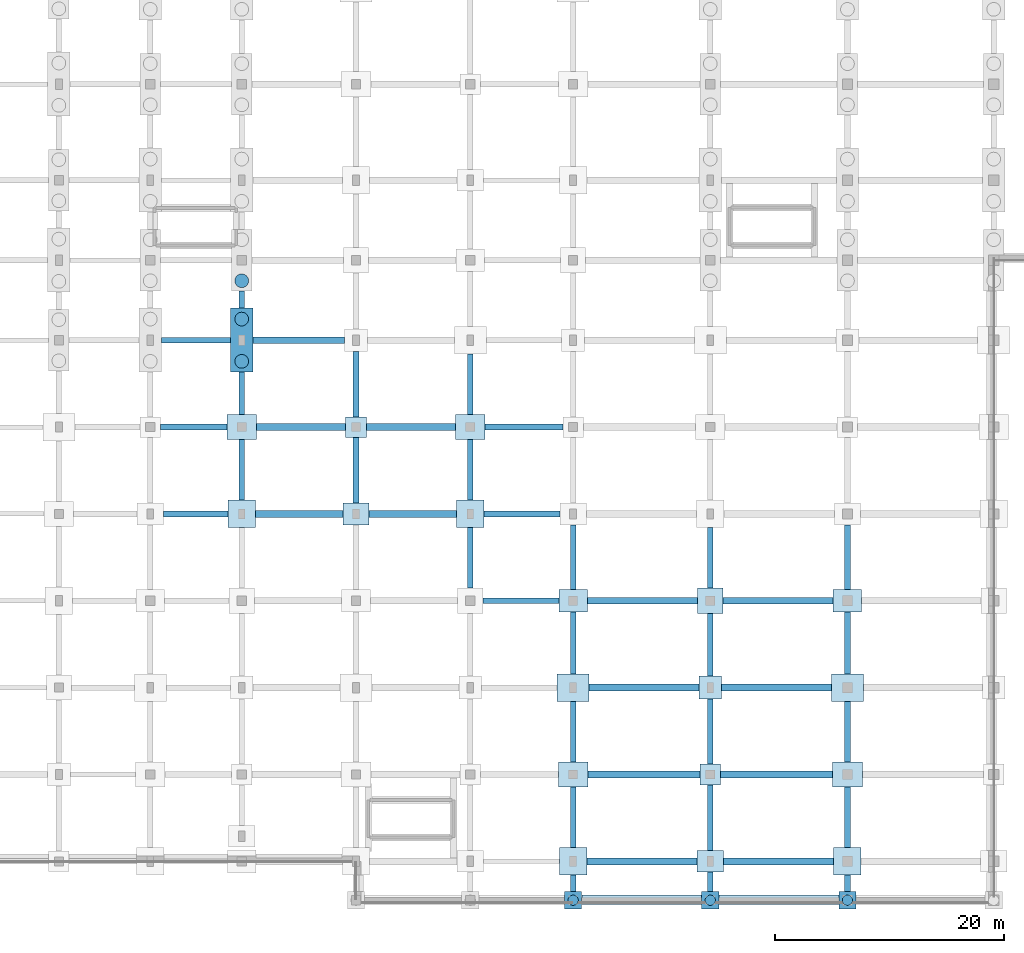
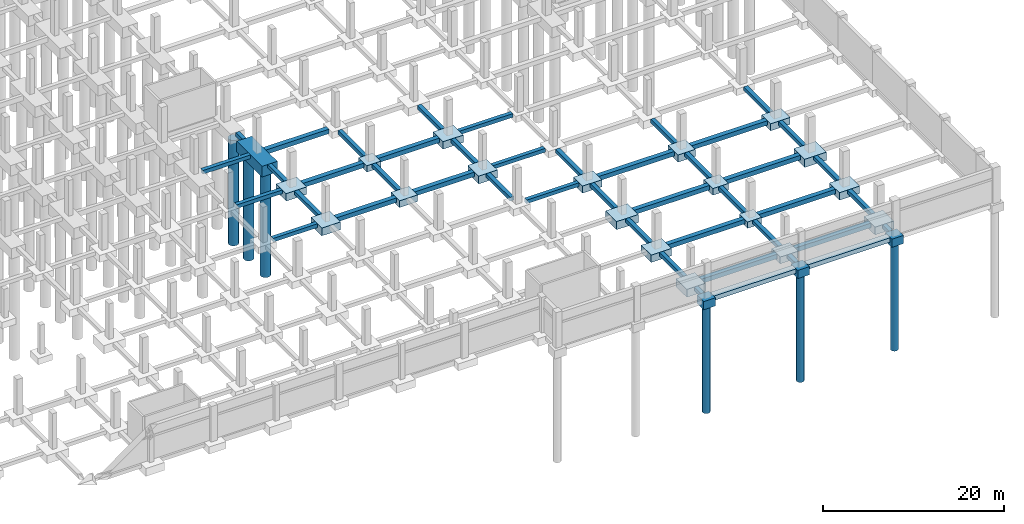
# One storey, part 18 of 50: 66 footings, 6 piles.
"""IFC4 building model written with IfcOpenShell, lengths in metres."""

from ifc_helpers import new_model, si_unit, direction, frame, origin, origin_2d, place, context, subcontext, project, spatial, polyline, rectangle, circle, outline, extrude, material, material_profile, profile_set, type_object, element, save


model = new_model("IFC4")

# Units and contexts
model_context = context("Model", 3, precision=1e-05, world=origin(), true_north=direction((0.0, 1.0)))
body_context = subcontext(model_context, "Body", "Model", "MODEL_VIEW")
ifc_project = project(units=[si_unit("LENGTHUNIT", "METRE"), si_unit("AREAUNIT", "SQUARE_METRE"), si_unit("VOLUMEUNIT", "CUBIC_METRE"), si_unit("PLANEANGLEUNIT", "RADIAN"), si_unit("MASSUNIT", "GRAM", prefix="KILO")], contexts=[model_context])

# Site, building, storey
site_placement = place(None, origin())
site = spatial("IfcSite", under=ifc_project, at=site_placement, CompositionType="ELEMENT")
building_placement = place(site_placement, origin())
building = spatial("IfcBuilding", under=site, at=building_placement, Name="Vekula Escarpment Museum", CompositionType="ELEMENT")
storey_placement = place(building_placement, frame((0.0, 0.0, -4.800048828125)))
storey = spatial("IfcBuildingStorey", under=building, at=storey_placement, Name="B1", CompositionType="ELEMENT", Elevation=-4.800048828125)

# Footings
ifc_material_1 = material(Name="Concrete C35/45", Category="concrete")
footing_type_1 = type_object("IfcFootingType", Name="FB-STRIP-600", PredefinedType="STRIP_FOOTING", material=ifc_material_1)
footing_1_placement = place(storey_placement, frame((0.0, 0.0, -0.599853515625)))
element("IfcFooting", 1, at=footing_1_placement, inside=storey, type_object=footing_type_1, Name="Plinth Wall Strip Footing 0080", PredefinedType="STRIP_FOOTING", context=body_context, shape_type="SweptSolid", body=[
    extrude(outline(polyline([(155.75390625, -3.794921875), (155.75390625, -2.955078125), (166.24609375, -2.955078125), (166.24609375, -3.794921875), (155.75390625, -3.794921875)])), origin(), (0.0, 0.0, 1.0), 0.599853515625),
])
footing_2_placement = place(storey_placement, frame((0.0, 0.0, -0.599853515625)))
element("IfcFooting", 2, at=footing_2_placement, inside=storey, type_object=footing_type_1, Name="Plinth Wall Strip Footing 0081", PredefinedType="STRIP_FOOTING", context=body_context, shape_type="SweptSolid", body=[
    extrude(outline(polyline([(167.75390625, -3.794921875), (167.75390625, -2.955078125), (178.24609375, -2.955078125), (178.24609375, -3.794921875), (167.75390625, -3.794921875)])), origin(), (0.0, 0.0, 1.0), 0.599853515625),
])
ifc_material_2 = material(Name="Concrete C35/45", Category="concrete")
ifc_material_profile_1 = material_profile(ifc_material_2, rectangle(XDim=0.5, YDim=0.5, at=origin_2d()), Name="RC 500x500")
ifc_profile_set_1 = profile_set([ifc_material_profile_1], Name="Concrete C35/45")
footing_type_2 = type_object("IfcFootingType", Name="FB-TIE-500x500", PredefinedType="FOOTING_BEAM", material=ifc_profile_set_1)
footing_3_placement = place(storey_placement, frame((147.10009765625, 22.800048828125, -0.25), z_axis=(1.0, 0.0, 0.0), x_axis=(0.0, 1.0, 0.0)))
element("IfcFooting", 3, at=footing_3_placement, inside=storey, type_object=footing_type_2, Name="Foundation Tie Beam 077", PredefinedType="FOOTING_BEAM", context=body_context, shape_type="SweptSolid", body=[
    extrude(rectangle(XDim=0.5, YDim=0.5, at=origin_2d()), origin(), (0.0, 0.0, 1.0), 6.64990234375),
])
footing_4_placement = place(storey_placement, frame((119.14990234375, 30.39990234375, -0.25), z_axis=(1.0, 0.0, 0.0), x_axis=(0.0, 1.0, 0.0)))
element("IfcFooting", 4, at=footing_4_placement, inside=storey, type_object=footing_type_2, Name="Foundation Tie Beam 092", PredefinedType="FOOTING_BEAM", context=body_context, shape_type="SweptSolid", body=[
    extrude(rectangle(XDim=0.5, YDim=0.5, at=origin_2d()), origin(), (0.0, 0.0, 1.0), 5.650146484375),
])
footing_5_placement = place(storey_placement, frame((147.199951171875, 30.39990234375, -0.25), z_axis=(1.0, 0.0, 0.0), x_axis=(0.0, 1.0, 0.0)))
element("IfcFooting", 5, at=footing_5_placement, inside=storey, type_object=footing_type_2, Name="Foundation Tie Beam 095", PredefinedType="FOOTING_BEAM", context=body_context, shape_type="SweptSolid", body=[
    extrude(rectangle(XDim=0.5, YDim=0.5, at=origin_2d()), origin(), (0.0, 0.0, 1.0), 6.650146484375),
])
footing_6_placement = place(storey_placement, frame((118.89990234375, 38.0, -0.25), z_axis=(1.0, 0.0, 0.0), x_axis=(0.0, 1.0, 0.0)))
element("IfcFooting", 6, at=footing_6_placement, inside=storey, type_object=footing_type_2, Name="Foundation Tie Beam 113", PredefinedType="FOOTING_BEAM", context=body_context, shape_type="SweptSolid", body=[
    extrude(rectangle(XDim=0.5, YDim=0.5, at=origin_2d()), origin(), (0.0, 0.0, 1.0), 5.800048828125),
])
footing_7_placement = place(storey_placement, frame((147.300048828125, 38.0, -0.25), z_axis=(1.0, 0.0, 0.0), x_axis=(0.0, 1.0, 0.0)))
element("IfcFooting", 7, at=footing_7_placement, inside=storey, type_object=footing_type_2, Name="Foundation Tie Beam 116", PredefinedType="FOOTING_BEAM", context=body_context, shape_type="SweptSolid", body=[
    extrude(rectangle(XDim=0.5, YDim=0.5, at=origin_2d()), origin(), (0.0, 0.0, 1.0), 6.800048828125),
])
footing_8_placement = place(storey_placement, frame((118.97509765625, 45.60009765625, -0.25), z_axis=(1.0, 0.0, 0.0), x_axis=(0.0, 1.0, 0.0)))
element("IfcFooting", 8, at=footing_8_placement, inside=storey, type_object=footing_type_2, Name="Foundation Tie Beam 134", PredefinedType="FOOTING_BEAM", context=body_context, shape_type="SweptSolid", body=[
    extrude(rectangle(XDim=0.5, YDim=0.5, at=origin_2d()), origin(), (0.0, 0.0, 1.0), 6.0498046875),
])
footing_9_placement = place(storey_placement, frame((126.0, 31.60009765625, -0.25), z_axis=(0.0, 1.0, 0.0), x_axis=(-1.0, 0.0, 0.0)))
element("IfcFooting", 9, at=footing_9_placement, inside=storey, type_object=footing_type_2, Name="Foundation Tie Beam 668", PredefinedType="FOOTING_BEAM", context=body_context, shape_type="SweptSolid", body=[
    extrude(rectangle(XDim=0.5, YDim=0.5, at=origin_2d()), origin(), (0.0, 0.0, 1.0), 5.2998046875),
])
footing_10_placement = place(storey_placement, frame((126.0, 39.10009765625, -0.25), z_axis=(0.0, 1.0, 0.0), x_axis=(-1.0, 0.0, 0.0)))
element("IfcFooting", 10, at=footing_10_placement, inside=storey, type_object=footing_type_2, Name="Foundation Tie Beam 669", PredefinedType="FOOTING_BEAM", context=body_context, shape_type="SweptSolid", body=[
    extrude(rectangle(XDim=0.5, YDim=0.5, at=origin_2d()), origin(), (0.0, 0.0, 1.0), 3.699951171875),
])
footing_11_placement = place(storey_placement, frame((126.0, 48.39990234375, -0.25), z_axis=(0.0, 1.0, 0.0), x_axis=(-1.0, 0.0, 0.0)))
element("IfcFooting", 11, at=footing_11_placement, inside=storey, type_object=footing_type_2, Name="Foundation Tie Beam 670", PredefinedType="FOOTING_BEAM", context=body_context, shape_type="SweptSolid", body=[
    extrude(rectangle(XDim=0.5, YDim=0.5, at=origin_2d()), origin(), (0.0, 0.0, 1.0), 1.5),
])
footing_12_placement = place(storey_placement, frame((136.0, 31.35009765625, -0.25), z_axis=(0.0, 1.0, 0.0), x_axis=(-1.0, 0.0, 0.0)))
element("IfcFooting", 12, at=footing_12_placement, inside=storey, type_object=footing_type_2, Name="Foundation Tie Beam 687", PredefinedType="FOOTING_BEAM", context=body_context, shape_type="SweptSolid", body=[
    extrude(rectangle(XDim=0.5, YDim=0.5, at=origin_2d()), origin(), (0.0, 0.0, 1.0), 5.75),
])
footing_13_placement = place(storey_placement, frame((136.0, 38.89990234375, -0.25), z_axis=(0.0, 1.0, 0.0), x_axis=(-1.0, 0.0, 0.0)))
element("IfcFooting", 13, at=footing_13_placement, inside=storey, type_object=footing_type_2, Name="Foundation Tie Beam 688", PredefinedType="FOOTING_BEAM", context=body_context, shape_type="SweptSolid", body=[
    extrude(rectangle(XDim=0.5, YDim=0.5, at=origin_2d()), origin(), (0.0, 0.0, 1.0), 5.7001953125),
])
footing_14_placement = place(storey_placement, frame((146.0, 23.89990234375, -0.25), z_axis=(0.0, 1.0, 0.0), x_axis=(-1.0, 0.0, 0.0)))
element("IfcFooting", 14, at=footing_14_placement, inside=storey, type_object=footing_type_2, Name="Foundation Tie Beam 705", PredefinedType="FOOTING_BEAM", context=body_context, shape_type="SweptSolid", body=[
    extrude(rectangle(XDim=0.5, YDim=0.5, at=origin_2d()), origin(), (0.0, 0.0, 1.0), 5.300048828125),
])
for number, where, z_axis, x_axis, name in (
    (15, (146.0, 31.60009765625, -0.25), (0.0, 1.0, 0.0), (-1.0, 0.0, 0.0), "Foundation Tie Beam 706"),
    (16, (146.0, 39.10009765625, -0.25), (0.0, 1.0, 0.0), (-1.0, 0.0, 0.0), "Foundation Tie Beam 707"),
):
    element("IfcFooting", number, at=place(storey_placement, frame(where, z_axis=z_axis, x_axis=x_axis)), inside=storey, type_object=footing_type_2, Name=name, PredefinedType="FOOTING_BEAM", context=body_context, shape_type="SweptSolid", body=[
        extrude(rectangle(XDim=0.5, YDim=0.5, at=origin_2d()), origin(), (0.0, 0.0, 1.0), 5.2998046875),
    ])
footing_15_placement = place(storey_placement, frame((155.0, -2.64990234375, -0.25), z_axis=(0.0, 1.0, 0.0), x_axis=(-1.0, 0.0, 0.0)))
element("IfcFooting", 17, at=footing_15_placement, inside=storey, type_object=footing_type_2, Name="Foundation Tie Beam 720", PredefinedType="FOOTING_BEAM", context=body_context, shape_type="SweptSolid", body=[
    extrude(rectangle(XDim=0.5, YDim=0.5, at=origin_2d()), origin(), (0.0, 0.0, 1.0), 1.449951171875),
])
for number, where, z_axis, x_axis, name in (
    (18, (155.0, 1.199951171875, -0.25), (0.0, 1.0, 0.0), (-1.0, 0.0, 0.0), "Foundation Tie Beam 721"),
    (19, (155.0, 8.699951171875, -0.25), (0.0, 1.0, 0.0), (-1.0, 0.0, 0.0), "Foundation Tie Beam 722"),
):
    element("IfcFooting", number, at=place(storey_placement, frame(where, z_axis=z_axis, x_axis=x_axis)), inside=storey, type_object=footing_type_2, Name=name, PredefinedType="FOOTING_BEAM", context=body_context, shape_type="SweptSolid", body=[
        extrude(rectangle(XDim=0.5, YDim=0.5, at=origin_2d()), origin(), (0.0, 0.0, 1.0), 5.300048828125),
    ])
footing_16_placement = place(storey_placement, frame((155.0, 16.39990234375, -0.25), z_axis=(0.0, 1.0, 0.0), x_axis=(-1.0, 0.0, 0.0)))
element("IfcFooting", 20, at=footing_16_placement, inside=storey, type_object=footing_type_2, Name="Foundation Tie Beam 723", PredefinedType="FOOTING_BEAM", context=body_context, shape_type="SweptSolid", body=[
    extrude(rectangle(XDim=0.5, YDim=0.5, at=origin_2d()), origin(), (0.0, 0.0, 1.0), 5.400146484375),
])
footing_17_placement = place(storey_placement, frame((155.0, 23.800048828125, -0.25), z_axis=(0.0, 1.0, 0.0), x_axis=(-1.0, 0.0, 0.0)))
element("IfcFooting", 21, at=footing_17_placement, inside=storey, type_object=footing_type_2, Name="Foundation Tie Beam 724", PredefinedType="FOOTING_BEAM", context=body_context, shape_type="SweptSolid", body=[
    extrude(rectangle(XDim=0.5, YDim=0.5, at=origin_2d()), origin(), (0.0, 0.0, 1.0), 5.64990234375),
])
footing_18_placement = place(storey_placement, frame((167.0, -2.64990234375, -0.25), z_axis=(0.0, 1.0, 0.0), x_axis=(-1.0, 0.0, 0.0)))
element("IfcFooting", 22, at=footing_18_placement, inside=storey, type_object=footing_type_2, Name="Foundation Tie Beam 739", PredefinedType="FOOTING_BEAM", context=body_context, shape_type="SweptSolid", body=[
    extrude(rectangle(XDim=0.5, YDim=0.5, at=origin_2d()), origin(), (0.0, 0.0, 1.0), 1.699951171875),
])
footing_19_placement = place(storey_placement, frame((167.0, 0.949951171875, -0.25), z_axis=(0.0, 1.0, 0.0), x_axis=(-1.0, 0.0, 0.0)))
element("IfcFooting", 23, at=footing_19_placement, inside=storey, type_object=footing_type_2, Name="Foundation Tie Beam 740", PredefinedType="FOOTING_BEAM", context=body_context, shape_type="SweptSolid", body=[
    extrude(rectangle(XDim=0.5, YDim=0.5, at=origin_2d()), origin(), (0.0, 0.0, 1.0), 5.75),
])
footing_20_placement = place(storey_placement, frame((167.0, 8.5, -0.25), z_axis=(0.0, 1.0, 0.0), x_axis=(-1.0, 0.0, 0.0)))
element("IfcFooting", 24, at=footing_20_placement, inside=storey, type_object=footing_type_2, Name="Foundation Tie Beam 741", PredefinedType="FOOTING_BEAM", context=body_context, shape_type="SweptSolid", body=[
    extrude(rectangle(XDim=0.5, YDim=0.5, at=origin_2d()), origin(), (0.0, 0.0, 1.0), 5.699951171875),
])
footing_21_placement = place(storey_placement, frame((167.0, 16.199951171875, -0.25), z_axis=(0.0, 1.0, 0.0), x_axis=(-1.0, 0.0, 0.0)))
element("IfcFooting", 25, at=footing_21_placement, inside=storey, type_object=footing_type_2, Name="Foundation Tie Beam 742", PredefinedType="FOOTING_BEAM", context=body_context, shape_type="SweptSolid", body=[
    extrude(rectangle(XDim=0.5, YDim=0.5, at=origin_2d()), origin(), (0.0, 0.0, 1.0), 5.5),
])
footing_22_placement = place(storey_placement, frame((167.0, 23.89990234375, -0.25), z_axis=(0.0, 1.0, 0.0), x_axis=(-1.0, 0.0, 0.0)))
element("IfcFooting", 26, at=footing_22_placement, inside=storey, type_object=footing_type_2, Name="Foundation Tie Beam 743", PredefinedType="FOOTING_BEAM", context=body_context, shape_type="SweptSolid", body=[
    extrude(rectangle(XDim=0.5, YDim=0.5, at=origin_2d()), origin(), (0.0, 0.0, 1.0), 5.300048828125),
])
footing_23_placement = place(storey_placement, frame((179.0, -2.64990234375, -0.25), z_axis=(0.0, 1.0, 0.0), x_axis=(-1.0, 0.0, 0.0)))
element("IfcFooting", 27, at=footing_23_placement, inside=storey, type_object=footing_type_2, Name="Foundation Tie Beam 758", PredefinedType="FOOTING_BEAM", context=body_context, shape_type="SweptSolid", body=[
    extrude(rectangle(XDim=0.5, YDim=0.5, at=origin_2d()), origin(), (0.0, 0.0, 1.0), 1.449951171875),
])
for number, where, z_axis, x_axis, name in (
    (28, (179.0, 1.199951171875, -0.25), (0.0, 1.0, 0.0), (-1.0, 0.0, 0.0), "Foundation Tie Beam 759"),
    (29, (179.0, 8.699951171875, -0.25), (0.0, 1.0, 0.0), (-1.0, 0.0, 0.0), "Foundation Tie Beam 760"),
):
    element("IfcFooting", number, at=place(storey_placement, frame(where, z_axis=z_axis, x_axis=x_axis)), inside=storey, type_object=footing_type_2, Name=name, PredefinedType="FOOTING_BEAM", context=body_context, shape_type="SweptSolid", body=[
        extrude(rectangle(XDim=0.5, YDim=0.5, at=origin_2d()), origin(), (0.0, 0.0, 1.0), 5.300048828125),
    ])
footing_24_placement = place(storey_placement, frame((179.0, 16.39990234375, -0.25), z_axis=(0.0, 1.0, 0.0), x_axis=(-1.0, 0.0, 0.0)))
element("IfcFooting", 30, at=footing_24_placement, inside=storey, type_object=footing_type_2, Name="Foundation Tie Beam 761", PredefinedType="FOOTING_BEAM", context=body_context, shape_type="SweptSolid", body=[
    extrude(rectangle(XDim=0.5, YDim=0.5, at=origin_2d()), origin(), (0.0, 0.0, 1.0), 5.400146484375),
])
footing_25_placement = place(storey_placement, frame((179.0, 23.800048828125, -0.25), z_axis=(0.0, 1.0, 0.0), x_axis=(-1.0, 0.0, 0.0)))
element("IfcFooting", 31, at=footing_25_placement, inside=storey, type_object=footing_type_2, Name="Foundation Tie Beam 762", PredefinedType="FOOTING_BEAM", context=body_context, shape_type="SweptSolid", body=[
    extrude(rectangle(XDim=0.5, YDim=0.5, at=origin_2d()), origin(), (0.0, 0.0, 1.0), 5.64990234375),
])
ifc_material_3 = material(Name="Concrete C35/45", Category="concrete")
ifc_material_profile_2 = material_profile(ifc_material_3, rectangle(XDim=0.60009765625, YDim=0.60009765625, at=origin_2d()), Name="RC 600x600")
ifc_profile_set_2 = profile_set([ifc_material_profile_2], Name="Concrete C35/45")
footing_type_3 = type_object("IfcFootingType", Name="FB-TIE-600x600", PredefinedType="FOOTING_BEAM", material=ifc_profile_set_2)
for number, where, z_axis, x_axis, name in (
    (32, (156.199951171875, 0.0, -0.300048828125), (1.0, 0.0, 0.0), (0.0, 1.0, 0.0), "Foundation Tie Beam 022"),
    (33, (168.14990234375, 0.0, -0.300048828125), (1.0, 0.0, 0.0), (0.0, 1.0, 0.0), "Foundation Tie Beam 023"),
):
    element("IfcFooting", number, at=place(storey_placement, frame(where, z_axis=z_axis, x_axis=x_axis)), inside=storey, type_object=footing_type_3, Name=name, PredefinedType="FOOTING_BEAM", context=body_context, shape_type="SweptSolid", body=[
        extrude(rectangle(XDim=0.60009765625, YDim=0.60009765625, at=origin_2d()), origin(), (0.0, 0.0, 1.0), 9.650146484375),
    ])
for number, where, z_axis, x_axis, name in (
    (34, (156.300048828125, 7.60009765625, -0.300048828125), (1.0, 0.0, 0.0), (0.0, 1.0, 0.0), "Foundation Tie Beam 041"),
    (35, (167.89990234375, 7.60009765625, -0.300048828125), (1.0, 0.0, 0.0), (0.0, 1.0, 0.0), "Foundation Tie Beam 042"),
):
    element("IfcFooting", number, at=place(storey_placement, frame(where, z_axis=z_axis, x_axis=x_axis)), inside=storey, type_object=footing_type_3, Name=name, PredefinedType="FOOTING_BEAM", context=body_context, shape_type="SweptSolid", body=[
        extrude(rectangle(XDim=0.60009765625, YDim=0.60009765625, at=origin_2d()), origin(), (0.0, 0.0, 1.0), 9.800048828125),
    ])
for number, where, z_axis, x_axis, name in (
    (36, (156.39990234375, 15.199951171875, -0.300048828125), (1.0, 0.0, 0.0), (0.0, 1.0, 0.0), "Foundation Tie Beam 060"),
    (37, (168.0, 15.199951171875, -0.300048828125), (1.0, 0.0, 0.0), (0.0, 1.0, 0.0), "Foundation Tie Beam 061"),
):
    element("IfcFooting", number, at=place(storey_placement, frame(where, z_axis=z_axis, x_axis=x_axis)), inside=storey, type_object=footing_type_3, Name=name, PredefinedType="FOOTING_BEAM", context=body_context, shape_type="SweptSolid", body=[
        extrude(rectangle(XDim=0.60009765625, YDim=0.60009765625, at=origin_2d()), origin(), (0.0, 0.0, 1.0), 9.60009765625),
    ])
for number, where, z_axis, x_axis, name in (
    (38, (156.25, 22.800048828125, -0.300048828125), (1.0, 0.0, 0.0), (0.0, 1.0, 0.0), "Foundation Tie Beam 078"),
    (39, (168.10009765625, 22.800048828125, -0.300048828125), (1.0, 0.0, 0.0), (0.0, 1.0, 0.0), "Foundation Tie Beam 079"),
):
    element("IfcFooting", number, at=place(storey_placement, frame(where, z_axis=z_axis, x_axis=x_axis)), inside=storey, type_object=footing_type_3, Name=name, PredefinedType="FOOTING_BEAM", context=body_context, shape_type="SweptSolid", body=[
        extrude(rectangle(XDim=0.60009765625, YDim=0.60009765625, at=origin_2d()), origin(), (0.0, 0.0, 1.0), 9.64990234375),
    ])
for number, where, z_axis, x_axis, name in (
    (40, (127.199951171875, 30.39990234375, -0.300048828125), (1.0, 0.0, 0.0), (0.0, 1.0, 0.0), "Foundation Tie Beam 093"),
    (41, (137.14990234375, 30.39990234375, -0.300048828125), (1.0, 0.0, 0.0), (0.0, 1.0, 0.0), "Foundation Tie Beam 094"),
):
    element("IfcFooting", number, at=place(storey_placement, frame(where, z_axis=z_axis, x_axis=x_axis)), inside=storey, type_object=footing_type_3, Name=name, PredefinedType="FOOTING_BEAM", context=body_context, shape_type="SweptSolid", body=[
        extrude(rectangle(XDim=0.60009765625, YDim=0.60009765625, at=origin_2d()), origin(), (0.0, 0.0, 1.0), 7.650146484375),
    ])
for number, where, z_axis, x_axis, name in (
    (42, (127.300048828125, 38.0, -0.300048828125), (1.0, 0.0, 0.0), (0.0, 1.0, 0.0), "Foundation Tie Beam 114"),
    (43, (136.89990234375, 38.0, -0.300048828125), (1.0, 0.0, 0.0), (0.0, 1.0, 0.0), "Foundation Tie Beam 115"),
):
    element("IfcFooting", number, at=place(storey_placement, frame(where, z_axis=z_axis, x_axis=x_axis)), inside=storey, type_object=footing_type_3, Name=name, PredefinedType="FOOTING_BEAM", context=body_context, shape_type="SweptSolid", body=[
        extrude(rectangle(XDim=0.60009765625, YDim=0.60009765625, at=origin_2d()), origin(), (0.0, 0.0, 1.0), 7.800048828125),
    ])
footing_26_placement = place(storey_placement, frame((126.97509765625, 45.60009765625, -0.300048828125), z_axis=(1.0, 0.0, 0.0), x_axis=(0.0, 1.0, 0.0)))
element("IfcFooting", 44, at=footing_26_placement, inside=storey, type_object=footing_type_3, Name="Foundation Tie Beam 135", PredefinedType="FOOTING_BEAM", context=body_context, shape_type="SweptSolid", body=[
    extrude(rectangle(XDim=0.60009765625, YDim=0.60009765625, at=origin_2d()), origin(), (0.0, 0.0, 1.0), 8.02490234375),
])
ifc_material_4 = material(Name="Concrete C35/45", Category="concrete")
footing_type_4 = type_object("IfcFootingType", Name="FC-PAD1", PredefinedType="PAD_FOOTING", material=ifc_material_4)
footing_27_placement = place(storey_placement, frame((0.0, 0.0, -0.849853515625)))
element("IfcFooting", 45, at=footing_27_placement, inside=storey, type_object=footing_type_4, Name="Foundation FC-PAD1 (136.0,38.0)", PredefinedType="PAD_FOOTING", context=body_context, shape_type="SweptSolid", body=[
    extrude(outline(polyline([(135.10009765625, 37.10009765625), (136.89990234375, 37.10009765625), (136.89990234375, 38.89990234375), (135.10009765625, 38.89990234375), (135.10009765625, 37.10009765625)])), origin(), (0.0, 0.0, 1.0), 0.849853515625),
])
footing_28_placement = place(storey_placement, frame((0.0, 0.0, -0.849853515625)))
element("IfcFooting", 46, at=footing_28_placement, inside=storey, type_object=footing_type_4, Name="Foundation FC-PAD1 (167.0,7.6)", PredefinedType="PAD_FOOTING", context=body_context, shape_type="SweptSolid", body=[
    extrude(outline(polyline([(166.10009765625, 6.699951171875), (167.89990234375, 6.699951171875), (167.89990234375, 8.5), (166.10009765625, 8.5), (166.10009765625, 6.699951171875)])), origin(), (0.0, 0.0, 1.0), 0.849853515625),
])
ifc_material_5 = material(Name="Concrete C35/45", Category="concrete")
footing_type_5 = type_object("IfcFootingType", Name="FC-PAD2", PredefinedType="PAD_FOOTING", material=ifc_material_5)
footing_29_placement = place(storey_placement, frame((0.0, 0.0, -0.89990234375)))
element("IfcFooting", 47, at=footing_29_placement, inside=storey, type_object=footing_type_5, Name="Foundation FC-PAD2 (167.0,15.2)", PredefinedType="PAD_FOOTING", context=body_context, shape_type="SweptSolid", body=[
    extrude(outline(polyline([(166.0, 14.199951171875), (168.0, 14.199951171875), (168.0, 16.199951171875), (166.0, 16.199951171875), (166.0, 14.199951171875)])), origin(), (0.0, 0.0, 1.0), 0.89990234375),
])
ifc_material_6 = material(Name="Concrete C35/45", Category="concrete")
footing_type_6 = type_object("IfcFootingType", Name="FC-PAD3", PredefinedType="PAD_FOOTING", material=ifc_material_6)
footing_30_placement = place(storey_placement, frame((0.0, 0.0, -0.949951171875)))
element("IfcFooting", 48, at=footing_30_placement, inside=storey, type_object=footing_type_6, Name="Foundation FC-PAD3 (167.0,22.8)", PredefinedType="PAD_FOOTING", context=body_context, shape_type="SweptSolid", body=[
    extrude(outline(polyline([(165.89990234375, 21.699951171875), (168.10009765625, 21.699951171875), (168.10009765625, 23.89990234375), (165.89990234375, 23.89990234375), (165.89990234375, 21.699951171875)])), origin(), (0.0, 0.0, 1.0), 0.949951171875),
])
ifc_material_7 = material(Name="Concrete C35/45", Category="concrete")
footing_type_7 = type_object("IfcFootingType", Name="FC-PAD4", PredefinedType="PAD_FOOTING", material=ifc_material_7)
footing_31_placement = place(storey_placement, frame((0.0, 0.0, -1.050048828125)))
element("IfcFooting", 49, at=footing_31_placement, inside=storey, type_object=footing_type_7, Name="Foundation FC-PAD4 (126.0,30.4)", PredefinedType="PAD_FOOTING", context=body_context, shape_type="SweptSolid", body=[
    extrude(outline(polyline([(124.800048828125, 29.199951171875), (127.199951171875, 29.199951171875), (127.199951171875, 31.60009765625), (124.800048828125, 31.60009765625), (124.800048828125, 29.199951171875)])), origin(), (0.0, 0.0, 1.0), 1.050048828125),
])
footing_32_placement = place(storey_placement, frame((0.0, 0.0, -1.050048828125)))
element("IfcFooting", 50, at=footing_32_placement, inside=storey, type_object=footing_type_7, Name="Foundation FC-PAD4 (146.0,30.4)", PredefinedType="PAD_FOOTING", context=body_context, shape_type="SweptSolid", body=[
    extrude(outline(polyline([(144.800048828125, 29.199951171875), (147.199951171875, 29.199951171875), (147.199951171875, 31.60009765625), (144.800048828125, 31.60009765625), (144.800048828125, 29.199951171875)])), origin(), (0.0, 0.0, 1.0), 1.050048828125),
])
footing_33_placement = place(storey_placement, frame((0.0, 0.0, -1.050048828125)))
element("IfcFooting", 51, at=footing_33_placement, inside=storey, type_object=footing_type_7, Name="Foundation FC-PAD4 (155.0,0.0)", PredefinedType="PAD_FOOTING", context=body_context, shape_type="SweptSolid", body=[
    extrude(outline(polyline([(153.800048828125, -1.199951171875), (156.199951171875, -1.199951171875), (156.199951171875, 1.199951171875), (153.800048828125, 1.199951171875), (153.800048828125, -1.199951171875)])), origin(), (0.0, 0.0, 1.0), 1.050048828125),
])
footing_34_placement = place(storey_placement, frame((0.0, 0.0, -1.050048828125)))
element("IfcFooting", 52, at=footing_34_placement, inside=storey, type_object=footing_type_7, Name="Foundation FC-PAD4 (179.0,0.0)", PredefinedType="PAD_FOOTING", context=body_context, shape_type="SweptSolid", body=[
    extrude(outline(polyline([(177.800048828125, -1.199951171875), (180.199951171875, -1.199951171875), (180.199951171875, 1.199951171875), (177.800048828125, 1.199951171875), (177.800048828125, -1.199951171875)])), origin(), (0.0, 0.0, 1.0), 1.050048828125),
])
ifc_material_8 = material(Name="Concrete C35/45", Category="concrete")
footing_type_8 = type_object("IfcFootingType", Name="FC-PAD5", PredefinedType="PAD_FOOTING", material=ifc_material_8)
footing_35_placement = place(storey_placement, frame((0.0, 0.0, -1.0)))
element("IfcFooting", 53, at=footing_35_placement, inside=storey, type_object=footing_type_8, Name="Foundation FC-PAD5 (126.0,38.0)", PredefinedType="PAD_FOOTING", context=body_context, shape_type="SweptSolid", body=[
    extrude(outline(polyline([(124.699951171875, 36.89990234375), (127.300048828125, 36.89990234375), (127.300048828125, 39.10009765625), (124.699951171875, 39.10009765625), (124.699951171875, 36.89990234375)])), origin(), (0.0, 0.0, 1.0), 1.0),
])
footing_36_placement = place(storey_placement, frame((0.0, 0.0, -1.0)))
element("IfcFooting", 54, at=footing_36_placement, inside=storey, type_object=footing_type_8, Name="Foundation FC-PAD5 (146.0,38.0)", PredefinedType="PAD_FOOTING", context=body_context, shape_type="SweptSolid", body=[
    extrude(outline(polyline([(144.699951171875, 36.89990234375), (147.300048828125, 36.89990234375), (147.300048828125, 39.10009765625), (144.699951171875, 39.10009765625), (144.699951171875, 36.89990234375)])), origin(), (0.0, 0.0, 1.0), 1.0),
])
footing_37_placement = place(storey_placement, frame((0.0, 0.0, -1.0)))
element("IfcFooting", 55, at=footing_37_placement, inside=storey, type_object=footing_type_8, Name="Foundation FC-PAD5 (155.0,7.6)", PredefinedType="PAD_FOOTING", context=body_context, shape_type="SweptSolid", body=[
    extrude(outline(polyline([(153.699951171875, 6.5), (156.300048828125, 6.5), (156.300048828125, 8.699951171875), (153.699951171875, 8.699951171875), (153.699951171875, 6.5)])), origin(), (0.0, 0.0, 1.0), 1.0),
])
footing_38_placement = place(storey_placement, frame((0.0, 0.0, -1.0)))
element("IfcFooting", 56, at=footing_38_placement, inside=storey, type_object=footing_type_8, Name="Foundation FC-PAD5 (179.0,7.6)", PredefinedType="PAD_FOOTING", context=body_context, shape_type="SweptSolid", body=[
    extrude(outline(polyline([(177.699951171875, 6.5), (180.300048828125, 6.5), (180.300048828125, 8.699951171875), (177.699951171875, 8.699951171875), (177.699951171875, 6.5)])), origin(), (0.0, 0.0, 1.0), 1.0),
])
ifc_material_9 = material(Name="Concrete C35/45", Category="concrete")
footing_type_9 = type_object("IfcFootingType", Name="FC-PAD6", PredefinedType="PAD_FOOTING", material=ifc_material_9)
footing_39_placement = place(storey_placement, frame((0.0, 0.0, -1.099853515625)))
element("IfcFooting", 57, at=footing_39_placement, inside=storey, type_object=footing_type_9, Name="Foundation FC-PAD6 (155.0,15.2)", PredefinedType="PAD_FOOTING", context=body_context, shape_type="SweptSolid", body=[
    extrude(outline(polyline([(153.60009765625, 14.0), (156.39990234375, 14.0), (156.39990234375, 16.39990234375), (153.60009765625, 16.39990234375), (153.60009765625, 14.0)])), origin(), (0.0, 0.0, 1.0), 1.099853515625),
])
footing_40_placement = place(storey_placement, frame((0.0, 0.0, -1.099853515625)))
element("IfcFooting", 58, at=footing_40_placement, inside=storey, type_object=footing_type_9, Name="Foundation FC-PAD6 (179.0,15.2)", PredefinedType="PAD_FOOTING", context=body_context, shape_type="SweptSolid", body=[
    extrude(outline(polyline([(177.60009765625, 14.0), (180.39990234375, 14.0), (180.39990234375, 16.39990234375), (177.60009765625, 16.39990234375), (177.60009765625, 14.0)])), origin(), (0.0, 0.0, 1.0), 1.099853515625),
])
ifc_material_10 = material(Name="Concrete C35/45", Category="concrete")
footing_type_10 = type_object("IfcFootingType", Name="FC-PAD7", PredefinedType="PAD_FOOTING", material=ifc_material_10)
footing_41_placement = place(storey_placement, frame((0.0, 0.0, -0.949951171875)))
element("IfcFooting", 59, at=footing_41_placement, inside=storey, type_object=footing_type_10, Name="Foundation FC-PAD7 (155.0,22.8)", PredefinedType="PAD_FOOTING", context=body_context, shape_type="SweptSolid", body=[
    extrude(outline(polyline([(153.75, 21.800048828125), (156.25, 21.800048828125), (156.25, 23.800048828125), (153.75, 23.800048828125), (153.75, 21.800048828125)])), origin(), (0.0, 0.0, 1.0), 0.949951171875),
])
footing_42_placement = place(storey_placement, frame((0.0, 0.0, -0.949951171875)))
element("IfcFooting", 60, at=footing_42_placement, inside=storey, type_object=footing_type_10, Name="Foundation FC-PAD7 (179.0,22.8)", PredefinedType="PAD_FOOTING", context=body_context, shape_type="SweptSolid", body=[
    extrude(outline(polyline([(177.75, 21.800048828125), (180.25, 21.800048828125), (180.25, 23.800048828125), (177.75, 23.800048828125), (177.75, 21.800048828125)])), origin(), (0.0, 0.0, 1.0), 0.949951171875),
])
ifc_material_11 = material(Name="Concrete C35/45", Category="concrete")
footing_type_11 = type_object("IfcFootingType", Name="FC-PAD8", PredefinedType="PAD_FOOTING", material=ifc_material_11)
footing_43_placement = place(storey_placement, frame((0.0, 0.0, -0.89990234375)))
element("IfcFooting", 61, at=footing_43_placement, inside=storey, type_object=footing_type_11, Name="Foundation FC-PAD8 (136.0,30.4)", PredefinedType="PAD_FOOTING", context=body_context, shape_type="SweptSolid", body=[
    extrude(outline(polyline([(134.85009765625, 29.449951171875), (137.14990234375, 29.449951171875), (137.14990234375, 31.35009765625), (134.85009765625, 31.35009765625), (134.85009765625, 29.449951171875)])), origin(), (0.0, 0.0, 1.0), 0.89990234375),
])
footing_44_placement = place(storey_placement, frame((0.0, 0.0, -0.89990234375)))
element("IfcFooting", 62, at=footing_44_placement, inside=storey, type_object=footing_type_11, Name="Foundation FC-PAD8 (167.0,0.0)", PredefinedType="PAD_FOOTING", context=body_context, shape_type="SweptSolid", body=[
    extrude(outline(polyline([(165.85009765625, -0.949951171875), (168.14990234375, -0.949951171875), (168.14990234375, 0.949951171875), (165.85009765625, 0.949951171875), (165.85009765625, -0.949951171875)])), origin(), (0.0, 0.0, 1.0), 0.89990234375),
])
ifc_material_12 = material(Name="Concrete C35/45", Category="concrete")
footing_type_12 = type_object("IfcFootingType", Name="FC-PC1A", PredefinedType="PILE_CAP", material=ifc_material_12)
footing_45_placement = place(storey_placement, frame((0.0, 0.0, -1.099853515625)))
element("IfcFooting", 63, at=footing_45_placement, inside=storey, type_object=footing_type_12, Name="Foundation FC-PC1A (155.0,-3.4)", PredefinedType="PILE_CAP", context=body_context, shape_type="SweptSolid", body=[
    extrude(outline(polyline([(154.25, -4.14990234375), (155.75, -4.14990234375), (155.75, -2.64990234375), (154.25, -2.64990234375), (154.25, -4.14990234375)])), origin(), (0.0, 0.0, 1.0), 1.099853515625),
])
footing_46_placement = place(storey_placement, frame((0.0, 0.0, -1.099853515625)))
element("IfcFooting", 64, at=footing_46_placement, inside=storey, type_object=footing_type_12, Name="Foundation FC-PC1A (167.0,-3.4)", PredefinedType="PILE_CAP", context=body_context, shape_type="SweptSolid", body=[
    extrude(outline(polyline([(166.25, -4.14990234375), (167.75, -4.14990234375), (167.75, -2.64990234375), (166.25, -2.64990234375), (166.25, -4.14990234375)])), origin(), (0.0, 0.0, 1.0), 1.099853515625),
])
footing_47_placement = place(storey_placement, frame((0.0, 0.0, -1.099853515625)))
element("IfcFooting", 65, at=footing_47_placement, inside=storey, type_object=footing_type_12, Name="Foundation FC-PC1A (179.0,-3.4)", PredefinedType="PILE_CAP", context=body_context, shape_type="SweptSolid", body=[
    extrude(outline(polyline([(178.25, -4.14990234375), (179.75, -4.14990234375), (179.75, -2.64990234375), (178.25, -2.64990234375), (178.25, -4.14990234375)])), origin(), (0.0, 0.0, 1.0), 1.099853515625),
])
ifc_material_13 = material(Name="Concrete C35/45", Category="concrete")
footing_type_13 = type_object("IfcFootingType", Name="FC-PC2Y-HB", PredefinedType="PILE_CAP", material=ifc_material_13)
footing_48_placement = place(storey_placement, frame((0.0, 0.0, -1.449951171875)))
element("IfcFooting", 66, at=footing_48_placement, inside=storey, type_object=footing_type_13, Name="Foundation FC-PC2Y-HB (126.0,45.6)", PredefinedType="PILE_CAP", context=body_context, shape_type="SweptSolid", body=[
    extrude(outline(polyline([(125.02490234375, 42.800048828125), (126.97509765625, 42.800048828125), (126.97509765625, 48.39990234375), (125.02490234375, 48.39990234375), (125.02490234375, 42.800048828125)])), origin(), (0.0, 0.0, 1.0), 1.449951171875),
])

# Piles
ifc_material_14 = material(Name="Concrete C35/45", Category="concrete")
ifc_material_profile_3 = material_profile(ifc_material_14, circle(Radius=0.60009765625, at=origin_2d()), Name="BORED PILE 1200")
ifc_profile_set_3 = profile_set([ifc_material_profile_3], Name="Concrete C35/45")
pile_type_1 = type_object("IfcPileType", Name="PILE-B1200", PredefinedType="BORED", material=ifc_profile_set_3)
for number, where, z_axis, x_axis, name in (
    (67, (126.0, 43.75, -1.349853515625), (0.0, 0.0, -1.0), (1.0, 0.0, 0.0), "Bored Pile (126.0,43.8)"),
    (68, (126.0, 47.449951171875, -1.349853515625), (0.0, 0.0, -1.0), (1.0, 0.0, 0.0), "Bored Pile (126.0,47.5)"),
):
    element("IfcPile", number, at=place(storey_placement, frame(where, z_axis=z_axis, x_axis=x_axis)), inside=storey, type_object=pile_type_1, Name=name, PredefinedType="BORED", context=body_context, shape_type="SweptSolid", body=[
        extrude(circle(Radius=0.60009765625, at=origin_2d()), origin(), (0.0, 0.0, 1.0), 14.14990234375),
    ])
pile_placement = place(storey_placement, frame((126.0, 50.800048828125, -1.300048828125), z_axis=(0.0, 0.0, -1.0), x_axis=(1.0, 0.0, 0.0)))
element("IfcPile", 69, at=pile_placement, inside=storey, type_object=pile_type_1, Name="Bored Pile (126.0,50.8)", PredefinedType="BORED", context=body_context, shape_type="SweptSolid", body=[
    extrude(circle(Radius=0.60009765625, at=origin_2d()), origin(), (0.0, 0.0, 1.0), 14.199951171875),
])
ifc_material_15 = material(Name="Concrete C35/45", Category="concrete")
ifc_material_profile_4 = material_profile(ifc_material_15, circle(Radius=0.449951171875, at=origin_2d()), Name="BORED PILE 900")
ifc_profile_set_4 = profile_set([ifc_material_profile_4], Name="Concrete C35/45")
pile_type_2 = type_object("IfcPileType", Name="PILE-B900", PredefinedType="BORED", material=ifc_profile_set_4)
for number, where, z_axis, x_axis, name in (
    (70, (155.0, -3.39990234375, -1.0), (0.0, 0.0, -1.0), (1.0, 0.0, 0.0), "Bored Pile (155.0,-3.4)"),
    (71, (167.0, -3.39990234375, -1.0), (0.0, 0.0, -1.0), (1.0, 0.0, 0.0), "Bored Pile (167.0,-3.4)"),
    (72, (179.0, -3.39990234375, -1.0), (0.0, 0.0, -1.0), (1.0, 0.0, 0.0), "Bored Pile (179.0,-3.4)"),
):
    element("IfcPile", number, at=place(storey_placement, frame(where, z_axis=z_axis, x_axis=x_axis)), inside=storey, type_object=pile_type_2, Name=name, PredefinedType="BORED", context=body_context, shape_type="SweptSolid", body=[
        extrude(circle(Radius=0.449951171875, at=origin_2d()), origin(), (0.0, 0.0, 1.0), 14.5),
    ])

save(model, "model.ifc")
